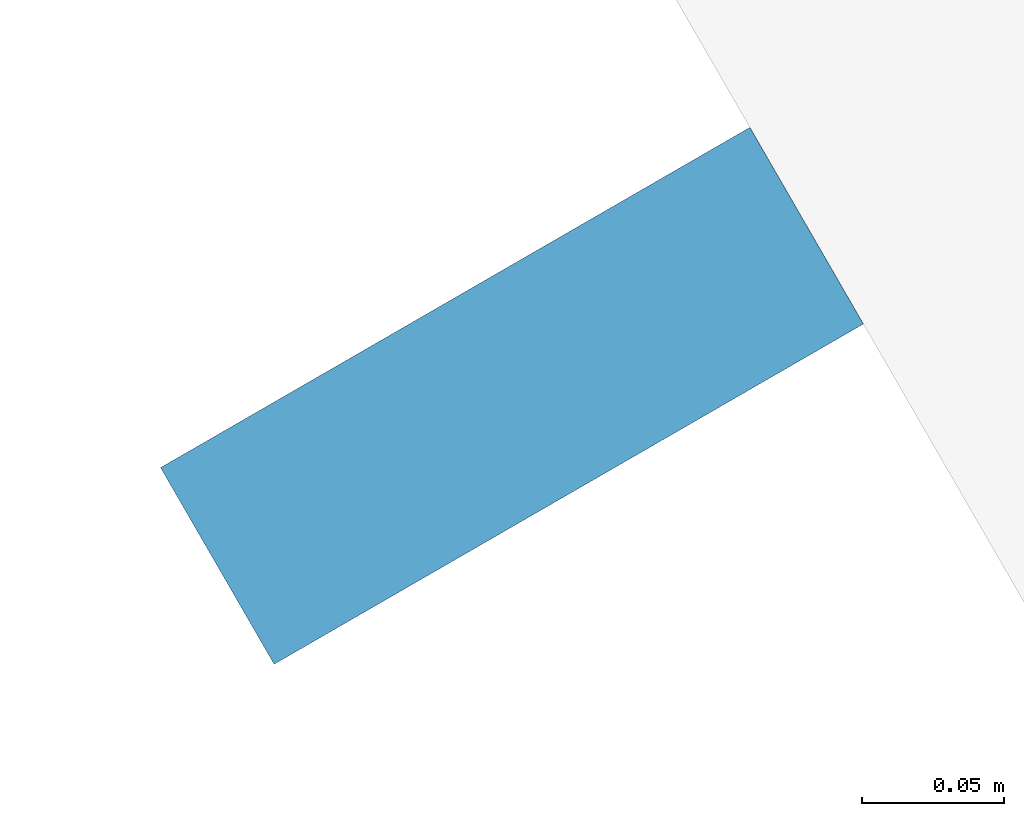
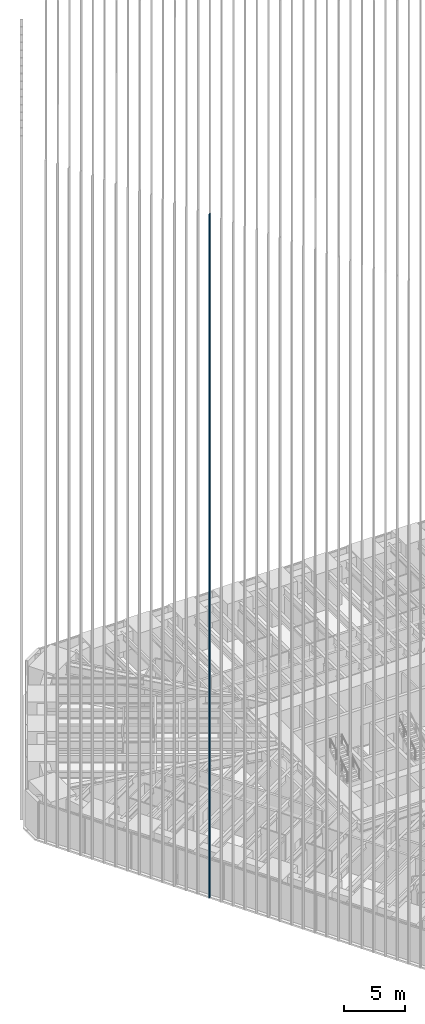
# One storey, part 40 of 256: 1 member, 1 element without a shape of its own.
"""IFC4 building model written with IfcOpenShell, lengths in metres."""

from ifc_helpers import new_model, si_unit, direction, frame, origin, origin_2d, place, context, subcontext, project, spatial, rectangle, extrude, material, material_profile, profile_set, type_object, element, aggregate, save


model = new_model("IFC4")

# Units and contexts
model_context = context("Model", 3, precision=1e-05, world=origin(), true_north=direction((0.0, 1.0)))
body_context = subcontext(model_context, "Body", "Model", "MODEL_VIEW")
ifc_project = project(units=[si_unit("LENGTHUNIT", "METRE"), si_unit("AREAUNIT", "SQUARE_METRE"), si_unit("VOLUMEUNIT", "CUBIC_METRE"), si_unit("PLANEANGLEUNIT", "RADIAN"), si_unit("MASSUNIT", "GRAM", prefix="KILO")], contexts=[model_context])

# Site, building, storey
site_placement = place(None, origin())
site = spatial("IfcSite", under=ifc_project, at=site_placement, CompositionType="ELEMENT")
building_placement = place(site_placement, origin())
building = spatial("IfcBuilding", under=site, at=building_placement, Name="Sandreach Pilgrim Tower", CompositionType="ELEMENT")
storey_placement = place(building_placement, frame((0.0, 0.0, 23.0)))
storey = spatial("IfcBuildingStorey", under=building, at=storey_placement, Name="L04", CompositionType="ELEMENT", Elevation=23.0)

# Curtain wall, member
ifc_material_1 = material(Name="Aluminium framed curtain wall", Category="aluminium")
curtain_wall_type = type_object("IfcCurtainWallType", Name="Hostel tower curtain wall", PredefinedType="NOTDEFINED", material=ifc_material_1)
curtain_wall_placement = place(storey_placement, origin())
curtain_wall = element("IfcCurtainWall", 1, at=curtain_wall_placement, inside=storey, type_object=curtain_wall_type, Name="CW-1 L04 SW", PredefinedType="NOTDEFINED")
ifc_material_2 = material(Name="Extruded terracotta on aluminium core", Category="masonry")
ifc_material_profile = material_profile(ifc_material_2, rectangle(XDim=0.080078125, YDim=0.239990234375, at=origin_2d()), Name="TBW 80X240")
ifc_profile_set = profile_set([ifc_material_profile], Name="Extruded terracotta on aluminium core")
member_type = type_object("IfcMemberType", Name="Terracotta baguette west", PredefinedType="USERDEFINED", material=ifc_profile_set)
member_placement = place(storey_placement, frame((-22.763427734375, -9.309814453125, 0.0), z_axis=(0.0, 0.0, 1.0), x_axis=(-0.5, 0.866025403784, 0.0)))
member = element("IfcMember", 2, at=member_placement, type_object=member_type, Name="Baguette Z1 SW21", ObjectType="BAGUETTE", PredefinedType="USERDEFINED", context=body_context, shape_type="SweptSolid", body=[
    extrude(rectangle(XDim=0.080078125, YDim=0.239990234375, at=origin_2d()), origin(), (0.0, 0.0, 1.0), 68.239990234375),
])
aggregate(curtain_wall, [member])

save(model, "model.ifc")
